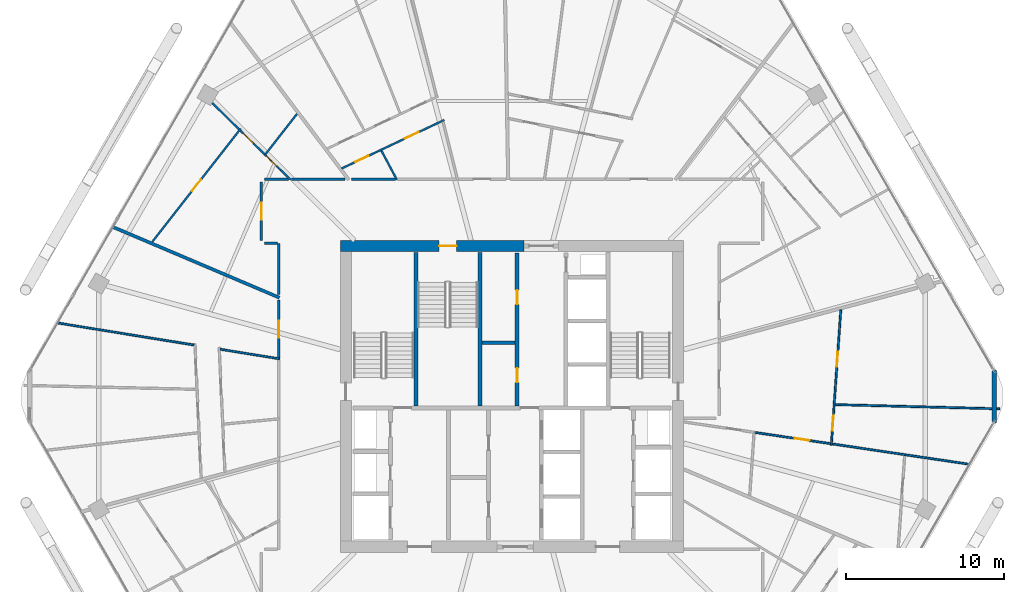
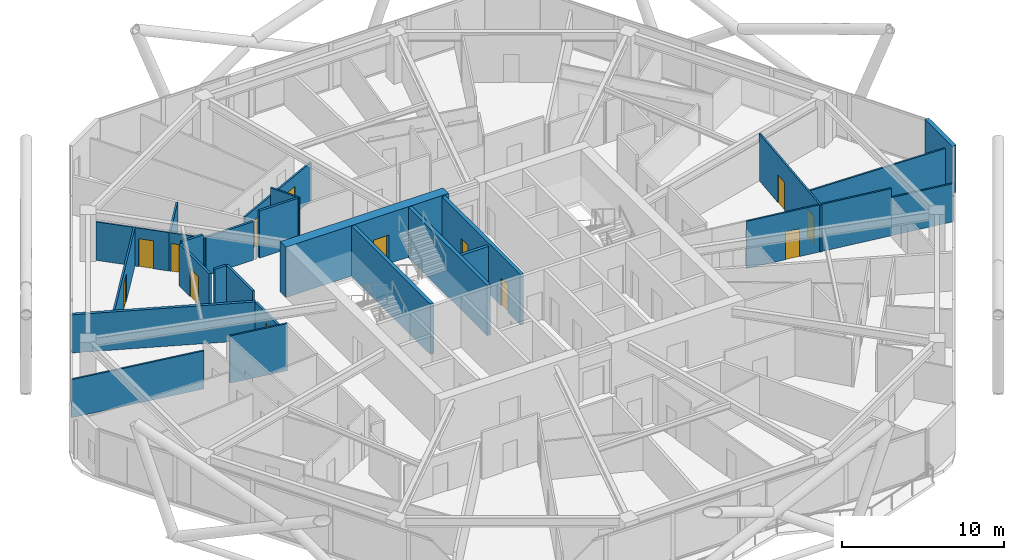
# One storey, part 24 of 29: 29 walls, 13 doors, 13 openings.
"""IFC4 building model written with IfcOpenShell, lengths in metres."""

from ifc_helpers import new_model, si_unit, direction, frame, frame_2d, origin, place, context, subcontext, project, spatial, rectangle, extrude, material, layer, layer_set, type_object, element, fill, save


model = new_model("IFC4")

# Units and contexts
model_context = context("Model", 3, precision=1e-05, world=origin(), true_north=direction((0.0, 1.0)))
body_context = subcontext(model_context, "Body", "Model", "MODEL_VIEW")
ifc_project = project(units=[si_unit("LENGTHUNIT", "METRE"), si_unit("AREAUNIT", "SQUARE_METRE"), si_unit("VOLUMEUNIT", "CUBIC_METRE"), si_unit("PLANEANGLEUNIT", "RADIAN"), si_unit("MASSUNIT", "GRAM", prefix="KILO")], contexts=[model_context])

# Site, building, storey
site_placement = place(None, origin())
site = spatial("IfcSite", under=ifc_project, at=site_placement, CompositionType="ELEMENT")
building_placement = place(site_placement, origin())
building = spatial("IfcBuilding", under=site, at=building_placement, Name="Zuhravey Tower", CompositionType="ELEMENT")
storey_placement = place(building_placement, frame((0.0, 0.0, 184.60009765625)))
storey = spatial("IfcBuildingStorey", under=building, at=storey_placement, Name="L46", CompositionType="ELEMENT", Elevation=184.60009765625)

# Wall, opening, door
ifc_material_1 = material(Name="Concrete C60/75", Category="concrete")
ifc_layer_1 = layer(ifc_material_1, 0.699951171875)
ifc_layer_set_1 = layer_set([ifc_layer_1], Name="Concrete C60/75")
wall_type_1 = type_object("IfcWallType", Name="Core Shear Wall 700", PredefinedType="SHEAR", material=ifc_layer_set_1)
wall_1_placement = place(storey_placement, frame((36.75, 41.5, 0.0), z_axis=(0.0, 0.0, 1.0), x_axis=(-1.0, 0.0, 0.0)))
wall_1 = element("IfcWall", 1, at=wall_1_placement, inside=storey, type_object=wall_type_1, Name="L46 North-West Core Shear Wall CW70", PredefinedType="SHEAR", context=body_context, shape_type="SweptSolid", body=[
    extrude(rectangle(XDim=11.60009765625, YDim=0.699951171875, at=frame_2d((5.800048828125, 0.0))), origin(), (0.0, 0.0, 1.0), 3.7998046875),
])
opening_1_placement = place(wall_1_placement, frame((4.25, 0.0, 0.0)))
opening_1 = element("IfcOpeningElement", 2, at=opening_1_placement, cuts=wall_1, Name="Opening STD1", PredefinedType="OPENING", context=body_context, shape_type="SweptSolid", body=[
    extrude(rectangle(XDim=1.10009765625, YDim=2.14990234375, at=frame_2d((0.550048828125, 1.074951171875))), frame((0.0, 0.362060546875, 0.0), z_axis=(0.0, -1.0, 0.0), x_axis=(1.0, 0.0, 0.0)), (0.0, 0.0, 1.0), 0.723876953125),
])
ifc_material_2 = material(Name="Galvanised fire-rated steel leaf", Category="steel")
door_type_1 = type_object("IfcDoorType", Name="Protected Stair Fire Door 1100x2150", OperationType="NOTDEFINED", PredefinedType="USERDEFINED", material=ifc_material_2)
door_1_placement = place(opening_1_placement, origin())
door_1 = element("IfcDoor", 3, at=door_1_placement, inside=storey, type_object=door_type_1, Name="L46 Stair ST3 Door", ObjectType="EXITDOOR", OperationType="SINGLE_SWING_LEFT", OverallHeight=2.14990234375, OverallWidth=1.10009765625, PredefinedType="USERDEFINED", context=body_context, shape_type="SweptSolid", body=[
    extrude(rectangle(XDim=1.10009765625, YDim=2.14990234375, at=frame_2d((0.550048828125, 1.074951171875))), frame((0.0, 0.02490234375, 0.0), z_axis=(0.0, -1.0, 0.0), x_axis=(1.0, 0.0, 0.0)), (0.0, 0.0, 1.0), 0.050048828125),
])
fill(opening_1, door_1)

ifc_material_3 = material(Name="Gypsum fire-rated stud partition")
ifc_layer_2 = layer(ifc_material_3, 0.159912109375)
ifc_layer_set_2 = layer_set([ifc_layer_2], Name="Gypsum fire-rated stud partition")
wall_type_2 = type_object("IfcWallType", Name="Corridor Fire Partition 160", PredefinedType="PARTITIONING", material=ifc_layer_set_2)
wall_2_placement = place(storey_placement, frame((20.169921875, 45.550048828125, 0.0), z_axis=(0.0, 0.0, 1.0), x_axis=(0.0, -1.0, 0.0)))
wall_2 = element("IfcWall", 4, at=wall_2_placement, inside=storey, type_object=wall_type_2, Name="L46 IW16 Partition 034", PredefinedType="PARTITIONING", context=body_context, shape_type="SweptSolid", body=[
    extrude(rectangle(XDim=3.699951171875, YDim=0.159912109375, at=frame_2d((1.85009765625, 0.0))), origin(), (0.0, 0.0, 1.0), 3.14990234375),
])
opening_2_placement = place(wall_2_placement, frame((1.324951171875, 0.0, 0.0)))
opening_2 = element("IfcOpeningElement", 5, at=opening_2_placement, cuts=wall_2, Name="Opening APD1", PredefinedType="OPENING", context=body_context, shape_type="SweptSolid", body=[
    extrude(rectangle(XDim=1.050048828125, YDim=2.14990234375, at=frame_2d((0.52490234375, 1.074951171875))), frame((0.0, 0.092041015625, 0.0), z_axis=(0.0, -1.0, 0.0), x_axis=(1.0, 0.0, 0.0)), (0.0, 0.0, 1.0), 0.183837890625),
])
ifc_material_4 = material(Name="Solid-core oak fire-rated leaf")
door_type_2 = type_object("IfcDoorType", Name="Apartment Entrance Fire Door 1050x2150", OperationType="NOTDEFINED", PredefinedType="DOOR", material=ifc_material_4)
door_2_placement = place(opening_2_placement, frame((1.050048828125, 0.0, 0.0), z_axis=(0.0, 0.0, 1.0), x_axis=(-1.0, 0.0, 0.0)))
door_2 = element("IfcDoor", 6, at=door_2_placement, inside=storey, type_object=door_type_2, Name="L46 Door 034.1", OperationType="SINGLE_SWING_RIGHT", OverallHeight=2.14990234375, OverallWidth=1.050048828125, PredefinedType="DOOR", context=body_context, shape_type="SweptSolid", body=[
    extrude(rectangle(XDim=1.050048828125, YDim=2.14990234375, at=frame_2d((0.52490234375, 1.074951171875))), frame((0.0, 0.02490234375, 0.0), z_axis=(0.0, -1.0, 0.0), x_axis=(1.0, 0.0, 0.0)), (0.0, 0.0, 1.0), 0.050048828125),
])
fill(opening_2, door_2)

wall_3_placement = place(storey_placement, frame((21.27001953125, 38.07958984375, 0.0), z_axis=(0.0, 0.0, 1.0), x_axis=(0.0, -1.0, 0.0)))
wall_3 = element("IfcWall", 7, at=wall_3_placement, inside=storey, type_object=wall_type_2, Name="L46 IW16 Partition 037", PredefinedType="PARTITIONING", context=body_context, shape_type="SweptSolid", body=[
    extrude(rectangle(XDim=3.678955078125, YDim=0.159912109375, at=frame_2d((1.83935546875, 0.0))), origin(), (0.0, 0.0, 1.0), 2.89990234375),
])
opening_3_placement = place(wall_3_placement, frame((1.314453125, 0.0, 0.0)))
opening_3 = element("IfcOpeningElement", 8, at=opening_3_placement, cuts=wall_3, Name="Opening APD1", PredefinedType="OPENING", context=body_context, shape_type="SweptSolid", body=[
    extrude(rectangle(XDim=1.050048828125, YDim=2.14990234375, at=frame_2d((0.52490234375, 1.074951171875))), frame((0.0, 0.092041015625, 0.0), z_axis=(0.0, -1.0, 0.0), x_axis=(1.0, 0.0, 0.0)), (0.0, 0.0, 1.0), 0.183837890625),
])
door_3_placement = place(opening_3_placement, frame((1.050048828125, 0.0, 0.0), z_axis=(0.0, 0.0, 1.0), x_axis=(-1.0, 0.0, 0.0)))
door_3 = element("IfcDoor", 9, at=door_3_placement, inside=storey, type_object=door_type_2, Name="L46 Door 037.1", OperationType="SINGLE_SWING_RIGHT", OverallHeight=2.14990234375, OverallWidth=1.050048828125, PredefinedType="DOOR", context=body_context, shape_type="SweptSolid", body=[
    extrude(rectangle(XDim=1.050048828125, YDim=2.14990234375, at=frame_2d((0.52490234375, 1.074951171875))), frame((0.0, 0.02490234375, 0.0), z_axis=(0.0, -1.0, 0.0), x_axis=(1.0, 0.0, 0.0)), (0.0, 0.0, 1.0), 0.050048828125),
])
fill(opening_3, door_3)

# Walls
wall_4_placement = place(storey_placement, frame((28.626220703125, 45.72998046875, 0.0), z_axis=(0.0, 0.0, 1.0), x_axis=(-1.0, 0.0, 0.0)))
element("IfcWall", 10, at=wall_4_placement, inside=storey, type_object=wall_type_2, Name="L46 IW16 Partition 130", PredefinedType="PARTITIONING", context=body_context, shape_type="SweptSolid", body=[
    extrude(rectangle(XDim=2.760986328125, YDim=0.159912109375, at=frame_2d((1.38037109375, 0.0))), origin(), (0.0, 0.0, 1.0), 3.5498046875),
])
wall_5_placement = place(storey_placement, frame((21.27001953125, 41.669921875, 0.0), z_axis=(0.0, 0.0, 1.0), x_axis=(0.0, -1.0, 0.0)))
element("IfcWall", 11, at=wall_5_placement, inside=storey, type_object=wall_type_2, Name="L46 IW16 Partition 131", PredefinedType="PARTITIONING", context=body_context, shape_type="SweptSolid", body=[
    extrude(rectangle(XDim=3.243408203125, YDim=0.159912109375, at=frame_2d((1.62158203125, 0.0))), origin(), (0.0, 0.0, 1.0), 3.5498046875),
])
wall_6_placement = place(storey_placement, frame((21.872314453125, 45.72998046875, 0.0), z_axis=(0.0, 0.0, 1.0), x_axis=(-1.0, 0.0, 0.0)))
element("IfcWall", 12, at=wall_6_placement, inside=storey, type_object=wall_type_2, Name="L46 IW16 Partition 132", PredefinedType="PARTITIONING", context=body_context, shape_type="SweptSolid", body=[
    extrude(rectangle(XDim=1.522216796875, YDim=0.159912109375, at=frame_2d((0.76123046875, 0.0))), origin(), (0.0, 0.0, 1.0), 3.14990234375),
])
wall_7_placement = place(storey_placement, frame((20.35009765625, 41.669921875, 0.0), z_axis=(0.0, 0.0, 1.0), x_axis=(1.0, 0.0, 0.0)))
element("IfcWall", 13, at=wall_7_placement, inside=storey, type_object=wall_type_2, Name="L46 IW16 Partition 133", PredefinedType="PARTITIONING", context=body_context, shape_type="SweptSolid", body=[
    extrude(rectangle(XDim=0.831787109375, YDim=0.159912109375, at=frame_2d((0.416015625, 0.0))), origin(), (0.0, 0.0, 1.0), 3.5498046875),
])
wall_8_placement = place(storey_placement, frame((25.439453125, 45.72998046875, 0.0), z_axis=(0.0, 0.0, 1.0), x_axis=(-1.0, 0.0, 0.0)))
element("IfcWall", 14, at=wall_8_placement, inside=storey, type_object=wall_type_2, Name="L46 IW16 Partition 134", PredefinedType="PARTITIONING", context=body_context, shape_type="SweptSolid", body=[
    extrude(rectangle(XDim=3.3798828125, YDim=0.159912109375, at=frame_2d((1.68994140625, 0.0))), origin(), (0.0, 0.0, 1.0), 2.89990234375),
])
ifc_material_5 = material(Name="Precast concrete C40/50", Category="concrete")
ifc_layer_3 = layer(ifc_material_5, 0.280029296875)
ifc_layer_set_3 = layer_set([ifc_layer_3], Name="Precast concrete C40/50")
wall_type_3 = type_object("IfcWallType", Name="Crown Architectural Wall 280", PredefinedType="SOLIDWALL", material=ifc_layer_set_3)
wall_9_placement = place(storey_placement, frame((66.4716796875, 33.6826171875, 0.0), z_axis=(0.0, 0.0, 1.0), x_axis=(0.0, -1.0, 0.0)))
element("IfcWall", 15, at=wall_9_placement, inside=storey, type_object=wall_type_3, Name="L46 Rounded Corner Closure Wall EW28-12", PredefinedType="SOLIDWALL", context=body_context, shape_type="SweptSolid", body=[
    extrude(rectangle(XDim=3.365234375, YDim=0.280029296875, at=frame_2d((1.6826171875, 0.0))), origin(), (0.0, 0.0, 1.0), 3.5498046875),
])
ifc_material_6 = material(Name="Concrete C50/60", Category="concrete")
ifc_layer_4 = layer(ifc_material_6, 0.25)
ifc_layer_set_4 = layer_set([ifc_layer_4], Name="Concrete C50/60")
wall_type_4 = type_object("IfcWallType", Name="Firefighting Shaft & Stair Wall 250", PredefinedType="SOLIDWALL", material=ifc_layer_set_4)
for number, where, z_axis, x_axis, name in (
    (16, (29.925048828125, 31.39990234375, 0.0), (0.0, 0.0, 1.0), (0.0, 1.0, 0.0), "L46 FW25 Shaft Wall 004"),
    (17, (33.97509765625, 31.39990234375, 0.0), (0.0, 0.0, 1.0), (0.0, 1.0, 0.0), "L46 FW25 Shaft Wall 005"),
):
    element("IfcWall", number, at=place(storey_placement, frame(where, z_axis=z_axis, x_axis=x_axis)), inside=storey, type_object=wall_type_4, Name=name, PredefinedType="SOLIDWALL", context=body_context, shape_type="SweptSolid", body=[
        extrude(rectangle(XDim=9.7001953125, YDim=0.25, at=frame_2d((4.85009765625, 0.0))), origin(), (0.0, 0.0, 1.0), 3.7998046875),
    ])

# Wall, openings, doors
wall_10_placement = place(storey_placement, frame((36.324951171875, 31.39990234375, 0.0), z_axis=(0.0, 0.0, 1.0), x_axis=(0.0, 1.0, 0.0)))
wall_10 = element("IfcWall", 18, at=wall_10_placement, inside=storey, type_object=wall_type_4, Name="L46 FW25 Shaft Wall 007", PredefinedType="SOLIDWALL", context=body_context, shape_type="SweptSolid", body=[
    extrude(rectangle(XDim=9.650146484375, YDim=0.25, at=frame_2d((4.8251953125, 0.0))), origin(), (0.0, 0.0, 1.0), 3.7998046875),
])
opening_4_placement = place(wall_10_placement, frame((1.489990234375, 0.0, 0.0)))
opening_4 = element("IfcOpeningElement", 19, at=opening_4_placement, cuts=wall_10, Name="Opening RSD1", PredefinedType="OPENING", context=body_context, shape_type="SweptSolid", body=[
    extrude(rectangle(XDim=0.89990234375, YDim=2.10009765625, at=frame_2d((0.449951171875, 1.050048828125))), frame((0.0, 0.136962890625, 0.0), z_axis=(0.0, -1.0, 0.0), x_axis=(1.0, 0.0, 0.0)), (0.0, 0.0, 1.0), 0.27392578125),
])
opening_5_placement = place(wall_10_placement, frame((6.409912109375, 0.0, 0.0)))
opening_5 = element("IfcOpeningElement", 20, at=opening_5_placement, cuts=wall_10, Name="Opening RSD1", PredefinedType="OPENING", context=body_context, shape_type="SweptSolid", body=[
    extrude(rectangle(XDim=0.89990234375, YDim=2.10009765625, at=frame_2d((0.449951171875, 1.050048828125))), frame((0.0, 0.136962890625, 0.0), z_axis=(0.0, -1.0, 0.0), x_axis=(1.0, 0.0, 0.0)), (0.0, 0.0, 1.0), 0.27392578125),
])
ifc_material_7 = material(Name="Galvanised fire-rated steel access leaf", Category="steel")
door_type_3 = type_object("IfcDoorType", Name="Riser & Shaft Access Fire Door 900x2100", OperationType="NOTDEFINED", PredefinedType="DOOR", material=ifc_material_7)
door_4_placement = place(opening_4_placement, origin())
door_4 = element("IfcDoor", 21, at=door_4_placement, inside=storey, type_object=door_type_3, Name="L46 Core Cleaner Store Door", OperationType="SINGLE_SWING_LEFT", OverallHeight=2.10009765625, OverallWidth=0.89990234375, PredefinedType="DOOR", context=body_context, shape_type="SweptSolid", body=[
    extrude(rectangle(XDim=0.89990234375, YDim=2.10009765625, at=frame_2d((0.449951171875, 1.050048828125))), frame((0.0, 0.02490234375, 0.0), z_axis=(0.0, -1.0, 0.0), x_axis=(1.0, 0.0, 0.0)), (0.0, 0.0, 1.0), 0.050048828125),
])
fill(opening_4, door_4)
door_5_placement = place(opening_5_placement, origin())
door_5 = element("IfcDoor", 22, at=door_5_placement, inside=storey, type_object=door_type_3, Name="L46 Core Pantry and Tea Room Door", OperationType="SINGLE_SWING_RIGHT", OverallHeight=2.10009765625, OverallWidth=0.89990234375, PredefinedType="DOOR", context=body_context, shape_type="SweptSolid", body=[
    extrude(rectangle(XDim=0.89990234375, YDim=2.10009765625, at=frame_2d((0.449951171875, 1.050048828125))), frame((0.0, 0.02490234375, 0.0), z_axis=(0.0, -1.0, 0.0), x_axis=(1.0, 0.0, 0.0)), (0.0, 0.0, 1.0), 0.050048828125),
])
fill(opening_5, door_5)

# Walls
ifc_material_8 = material(Name="Gypsum double-stud party assembly")
ifc_layer_5 = layer(ifc_material_8, 0.199951171875)
ifc_layer_set_5 = layer_set([ifc_layer_5], Name="Gypsum double-stud party assembly")
wall_type_5 = type_object("IfcWallType", Name="Inter-Tenancy Party Wall 200", PredefinedType="PARTITIONING", material=ifc_layer_set_5)
wall_11_placement = place(storey_placement, frame((21.31005859375, 38.235595703125, 0.0), z_axis=(0.0, 0.0, 1.0), x_axis=(-0.920512876962, 0.390712225746, 0.0)))
element("IfcWall", 23, at=wall_11_placement, inside=storey, type_object=wall_type_5, Name="L46 IW20 Partition 091", PredefinedType="PARTITIONING", context=body_context, shape_type="SweptSolid", body=[
    extrude(rectangle(XDim=11.4287109375, YDim=0.199951171875, at=frame_2d((5.71435546875, 0.0))), origin(), (0.0, 0.0, 1.0), 2.869873046875),
])
ifc_material_9 = material(Name="Gypsum acoustic stud assembly")
ifc_layer_6 = layer(ifc_material_9, 0.219970703125)
ifc_layer_set_6 = layer_set([ifc_layer_6], Name="Gypsum acoustic stud assembly")
wall_type_6 = type_object("IfcWallType", Name="School Acoustic Compartment Wall 220", PredefinedType="PARTITIONING", material=ifc_layer_set_6)
wall_12_placement = place(storey_placement, frame((34.10791015625, 35.39990234375, 0.0), z_axis=(0.0, 0.0, 1.0), x_axis=(1.0, 0.0, 0.0)))
element("IfcWall", 24, at=wall_12_placement, inside=storey, type_object=wall_type_6, Name="L46 IW22 Partition 061", PredefinedType="PARTITIONING", context=body_context, shape_type="SweptSolid", body=[
    extrude(rectangle(XDim=2.083984375, YDim=0.219970703125, at=frame_2d((1.0419921875, 0.0))), origin(), (0.0, 0.0, 1.0), 3.5498046875),
])

# Wall, openings, doors
ifc_material_10 = material(Name="Gypsum metal-stud partition")
ifc_layer_7 = layer(ifc_material_10, 0.1201171875)
ifc_layer_set_7 = layer_set([ifc_layer_7], Name="Gypsum metal-stud partition")
wall_type_7 = type_object("IfcWallType", Name="Unit Internal Partition 120", PredefinedType="PARTITIONING", material=ifc_layer_set_7)
wall_13_placement = place(storey_placement, frame((31.71728515625, 49.461181640625, 0.0), z_axis=(0.0, 0.0, 1.0), x_axis=(-0.904083014939, -0.427356879081, 0.0)))
wall_13 = element("IfcWall", 25, at=wall_13_placement, inside=storey, type_object=wall_type_7, Name="L46 IW12 Partition 027", PredefinedType="PARTITIONING", context=body_context, shape_type="SweptSolid", body=[
    extrude(rectangle(XDim=7.180419921875, YDim=0.1201171875, at=frame_2d((3.59033203125, 0.0))), origin(), (0.0, 0.0, 1.0), 2.89990234375),
])
opening_6_placement = place(wall_13_placement, frame((1.78466796875, 0.0, 0.0)))
opening_6 = element("IfcOpeningElement", 26, at=opening_6_placement, cuts=wall_13, Name="Opening IND1", PredefinedType="OPENING", context=body_context, shape_type="SweptSolid", body=[
    extrude(rectangle(XDim=0.949951171875, YDim=2.10009765625, at=frame_2d((0.47509765625, 1.050048828125))), frame((0.0, 0.072021484375, 0.0), z_axis=(0.0, -1.0, 0.0), x_axis=(1.0, 0.0, 0.0)), (0.0, 0.0, 1.0), 0.14404296875),
])
opening_7_placement = place(wall_13_placement, frame((5.2978515625, 0.0, 0.0)))
opening_7 = element("IfcOpeningElement", 27, at=opening_7_placement, cuts=wall_13, Name="Opening WCD1", PredefinedType="OPENING", context=body_context, shape_type="SweptSolid", body=[
    extrude(rectangle(XDim=0.89990234375, YDim=2.10009765625, at=frame_2d((0.449951171875, 1.050048828125))), frame((0.0, 0.072021484375, 0.0), z_axis=(0.0, -1.0, 0.0), x_axis=(1.0, 0.0, 0.0)), (0.0, 0.0, 1.0), 0.14404296875),
])
ifc_material_11 = material(Name="Moisture-resistant timber leaf", Category="wood")
door_type_4 = type_object("IfcDoorType", Name="Bathroom & WC Internal Door 900x2100", OperationType="NOTDEFINED", PredefinedType="DOOR", material=ifc_material_11)
door_6_placement = place(opening_7_placement, origin())
door_6 = element("IfcDoor", 28, at=door_6_placement, inside=storey, type_object=door_type_4, Name="Apartment L46-03 Bathroom Door", OperationType="SINGLE_SWING_RIGHT", OverallHeight=2.10009765625, OverallWidth=0.89990234375, PredefinedType="DOOR", context=body_context, shape_type="SweptSolid", body=[
    extrude(rectangle(XDim=0.89990234375, YDim=2.10009765625, at=frame_2d((0.449951171875, 1.050048828125))), frame((0.0, 0.02490234375, 0.0), z_axis=(0.0, -1.0, 0.0), x_axis=(1.0, 0.0, 0.0)), (0.0, 0.0, 1.0), 0.050048828125),
])
fill(opening_7, door_6)
ifc_material_12 = material(Name="Painted engineered timber leaf", Category="wood")
door_type_5 = type_object("IfcDoorType", Name="Internal Room & Bedroom Door 950x2100", OperationType="NOTDEFINED", PredefinedType="DOOR", material=ifc_material_12)
door_7_placement = place(opening_6_placement, origin())
door_7 = element("IfcDoor", 29, at=door_7_placement, inside=storey, type_object=door_type_5, Name="Apartment L46-03 Kitchen Door", OperationType="SINGLE_SWING_LEFT", OverallHeight=2.10009765625, OverallWidth=0.949951171875, PredefinedType="DOOR", context=body_context, shape_type="SweptSolid", body=[
    extrude(rectangle(XDim=0.949951171875, YDim=2.10009765625, at=frame_2d((0.47509765625, 1.050048828125))), frame((0.0, 0.02490234375, 0.0), z_axis=(0.0, -1.0, 0.0), x_axis=(1.0, 0.0, 0.0)), (0.0, 0.0, 1.0), 0.050048828125),
])
fill(opening_6, door_7)

# Wall, opening, door
wall_14_placement = place(storey_placement, frame((18.859619140625, 48.913330078125, 0.0), z_axis=(0.0, 0.0, 1.0), x_axis=(-0.615647177954, -0.788021923729, 0.0)))
wall_14 = element("IfcWall", 30, at=wall_14_placement, inside=storey, type_object=wall_type_7, Name="L46 IW12 Partition 030", PredefinedType="PARTITIONING", context=body_context, shape_type="SweptSolid", body=[
    extrude(rectangle(XDim=9.064453125, YDim=0.1201171875, at=frame_2d((4.5322265625, 0.0))), origin(), (0.0, 0.0, 1.0), 2.89990234375),
])
opening_8_placement = place(wall_14_placement, frame((4.057373046875, 0.0, 0.0)))
opening_8 = element("IfcOpeningElement", 31, at=opening_8_placement, cuts=wall_14, Name="Opening IND1", PredefinedType="OPENING", context=body_context, shape_type="SweptSolid", body=[
    extrude(rectangle(XDim=0.949951171875, YDim=2.10009765625, at=frame_2d((0.47509765625, 1.050048828125))), frame((0.0, 0.072021484375, 0.0), z_axis=(0.0, -1.0, 0.0), x_axis=(1.0, 0.0, 0.0)), (0.0, 0.0, 1.0), 0.14404296875),
])
door_8_placement = place(opening_8_placement, frame((0.949951171875, 0.0, 0.0), z_axis=(0.0, 0.0, 1.0), x_axis=(-1.0, 0.0, 0.0)))
door_8 = element("IfcDoor", 32, at=door_8_placement, inside=storey, type_object=door_type_5, Name="Apartment L46-04 Family Study Door", OperationType="SINGLE_SWING_LEFT", OverallHeight=2.10009765625, OverallWidth=0.949951171875, PredefinedType="DOOR", context=body_context, shape_type="SweptSolid", body=[
    extrude(rectangle(XDim=0.949951171875, YDim=2.10009765625, at=frame_2d((0.47509765625, 1.050048828125))), frame((0.0, 0.02490234375, 0.0), z_axis=(0.0, -1.0, 0.0), x_axis=(1.0, 0.0, 0.0)), (0.0, 0.0, 1.0), 0.050048828125),
])
fill(opening_8, door_8)

wall_15_placement = place(storey_placement, frame((21.38720703125, 46.300048828125, 0.0), z_axis=(0.0, 0.0, 1.0), x_axis=(-0.714709414699, 0.699421512781, 0.0)))
wall_15 = element("IfcWall", 33, at=wall_15_placement, inside=storey, type_object=wall_type_7, Name="L46 IW12 Partition 031", PredefinedType="PARTITIONING", context=body_context, shape_type="SweptSolid", body=[
    extrude(rectangle(XDim=1.4052734375, YDim=0.1201171875, at=frame_2d((0.70263671875, 0.0))), origin(), (0.0, 0.0, 1.0), 2.89990234375),
])
opening_9_placement = place(wall_15_placement, frame((0.365234375, 0.0, 0.0)))
opening_9 = element("IfcOpeningElement", 34, at=opening_9_placement, cuts=wall_15, Name="Opening WCD1", PredefinedType="OPENING", context=body_context, shape_type="SweptSolid", body=[
    extrude(rectangle(XDim=0.89990234375, YDim=2.10009765625, at=frame_2d((0.449951171875, 1.050048828125))), frame((0.0, 0.072021484375, 0.0), z_axis=(0.0, -1.0, 0.0), x_axis=(1.0, 0.0, 0.0)), (0.0, 0.0, 1.0), 0.14404296875),
])
door_9_placement = place(opening_9_placement, frame((0.89990234375, 0.0, 0.0), z_axis=(0.0, 0.0, 1.0), x_axis=(-1.0, 0.0, 0.0)))
door_9 = element("IfcDoor", 35, at=door_9_placement, inside=storey, type_object=door_type_4, Name="Apartment L46-04 Bathroom Door", OperationType="SINGLE_SWING_RIGHT", OverallHeight=2.10009765625, OverallWidth=0.89990234375, PredefinedType="DOOR", context=body_context, shape_type="SweptSolid", body=[
    extrude(rectangle(XDim=0.89990234375, YDim=2.10009765625, at=frame_2d((0.449951171875, 1.050048828125))), frame((0.0, 0.02490234375, 0.0), z_axis=(0.0, -1.0, 0.0), x_axis=(1.0, 0.0, 0.0)), (0.0, 0.0, 1.0), 0.050048828125),
])
fill(opening_9, door_9)

wall_16_placement = place(storey_placement, frame((20.3828125, 47.282958984375, 0.0), z_axis=(0.0, 0.0, 1.0), x_axis=(-0.714732795813, 0.699397619806, 0.0)))
wall_16 = element("IfcWall", 36, at=wall_16_placement, inside=storey, type_object=wall_type_7, Name="L46 IW12 Partition 032", PredefinedType="PARTITIONING", context=body_context, shape_type="SweptSolid", body=[
    extrude(rectangle(XDim=2.149169921875, YDim=0.1201171875, at=frame_2d((1.07470703125, 0.0))), origin(), (0.0, 0.0, 1.0), 2.89990234375),
])
opening_10_placement = place(wall_16_placement, frame((0.97509765625, 0.0, 0.0)))
opening_10 = element("IfcOpeningElement", 37, at=opening_10_placement, cuts=wall_16, Name="Opening IND1", PredefinedType="OPENING", context=body_context, shape_type="SweptSolid", body=[
    extrude(rectangle(XDim=0.949951171875, YDim=2.10009765625, at=frame_2d((0.47509765625, 1.050048828125))), frame((0.0, 0.072021484375, 0.0), z_axis=(0.0, -1.0, 0.0), x_axis=(1.0, 0.0, 0.0)), (0.0, 0.0, 1.0), 0.14404296875),
])
door_10_placement = place(opening_10_placement, frame((0.949951171875, 0.0, 0.0), z_axis=(0.0, 0.0, 1.0), x_axis=(-1.0, 0.0, 0.0)))
door_10 = element("IfcDoor", 38, at=door_10_placement, inside=storey, type_object=door_type_5, Name="Apartment L46-04 Kitchen Door", OperationType="SINGLE_SWING_LEFT", OverallHeight=2.10009765625, OverallWidth=0.949951171875, PredefinedType="DOOR", context=body_context, shape_type="SweptSolid", body=[
    extrude(rectangle(XDim=0.949951171875, YDim=2.10009765625, at=frame_2d((0.47509765625, 1.050048828125))), frame((0.0, 0.02490234375, 0.0), z_axis=(0.0, -1.0, 0.0), x_axis=(1.0, 0.0, 0.0)), (0.0, 0.0, 1.0), 0.050048828125),
])
fill(opening_10, door_10)

# Wall
wall_17_placement = place(storey_placement, frame((18.748779296875, 48.8818359375, 0.0), z_axis=(0.0, 0.0, 1.0), x_axis=(-0.714696370735, 0.69943484161, 0.0)))
element("IfcWall", 39, at=wall_17_placement, inside=storey, type_object=wall_type_7, Name="L46 IW12 Partition 033", PredefinedType="PARTITIONING", context=body_context, shape_type="SweptSolid", body=[
    extrude(rectangle(XDim=2.3515625, YDim=0.1201171875, at=frame_2d((1.17578125, 0.0))), origin(), (0.0, 0.0, 1.0), 2.89990234375),
])

# Wall, openings, doors
wall_18_placement = place(storey_placement, frame((56.1728515625, 28.905517578125, 0.0), z_axis=(0.0, 0.0, 1.0), x_axis=(0.069768607492, 0.997563201711, 0.0)))
wall_18 = element("IfcWall", 40, at=wall_18_placement, inside=storey, type_object=wall_type_7, Name="L46 IW12 Partition 055", PredefinedType="PARTITIONING", context=body_context, shape_type="SweptSolid", body=[
    extrude(rectangle(XDim=8.5908203125, YDim=0.1201171875, at=frame_2d((4.29541015625, 0.0))), origin(), (0.0, 0.0, 1.0), 3.5498046875),
])
opening_11_placement = place(wall_18_placement, frame((0.93603515625, 0.0, 0.0)))
opening_11 = element("IfcOpeningElement", 41, at=opening_11_placement, cuts=wall_18, Name="Opening IND1", PredefinedType="OPENING", context=body_context, shape_type="SweptSolid", body=[
    extrude(rectangle(XDim=0.949951171875, YDim=2.10009765625, at=frame_2d((0.47509765625, 1.050048828125))), frame((0.0, 0.072021484375, 0.0), z_axis=(0.0, -1.0, 0.0), x_axis=(1.0, 0.0, 0.0)), (0.0, 0.0, 1.0), 0.14404296875),
])
opening_12_placement = place(wall_18_placement, frame((4.991455078125, 0.0, 0.0)))
opening_12 = element("IfcOpeningElement", 42, at=opening_12_placement, cuts=wall_18, Name="Opening IND1", PredefinedType="OPENING", context=body_context, shape_type="SweptSolid", body=[
    extrude(rectangle(XDim=0.949951171875, YDim=2.10009765625, at=frame_2d((0.47509765625, 1.050048828125))), frame((0.0, 0.072021484375, 0.0), z_axis=(0.0, -1.0, 0.0), x_axis=(1.0, 0.0, 0.0)), (0.0, 0.0, 1.0), 0.14404296875),
])
door_11_placement = place(opening_11_placement, frame((0.949951171875, 0.0, 0.0), z_axis=(0.0, 0.0, 1.0), x_axis=(-1.0, 0.0, 0.0)))
door_11 = element("IfcDoor", 43, at=door_11_placement, inside=storey, type_object=door_type_5, Name="Apartment L46-10 Family Study Door", OperationType="SINGLE_SWING_RIGHT", OverallHeight=2.10009765625, OverallWidth=0.949951171875, PredefinedType="DOOR", context=body_context, shape_type="SweptSolid", body=[
    extrude(rectangle(XDim=0.949951171875, YDim=2.10009765625, at=frame_2d((0.47509765625, 1.050048828125))), frame((0.0, 0.02490234375, 0.0), z_axis=(0.0, -1.0, 0.0), x_axis=(1.0, 0.0, 0.0)), (0.0, 0.0, 1.0), 0.050048828125),
])
fill(opening_11, door_11)
door_12_placement = place(opening_12_placement, frame((0.949951171875, 0.0, 0.0), z_axis=(0.0, 0.0, 1.0), x_axis=(-1.0, 0.0, 0.0)))
door_12 = element("IfcDoor", 44, at=door_12_placement, inside=storey, type_object=door_type_5, Name="Apartment L46-10 Dining Room Door", OperationType="SINGLE_SWING_LEFT", OverallHeight=2.10009765625, OverallWidth=0.949951171875, PredefinedType="DOOR", context=body_context, shape_type="SweptSolid", body=[
    extrude(rectangle(XDim=0.949951171875, YDim=2.10009765625, at=frame_2d((0.47509765625, 1.050048828125))), frame((0.0, 0.02490234375, 0.0), z_axis=(0.0, -1.0, 0.0), x_axis=(1.0, 0.0, 0.0)), (0.0, 0.0, 1.0), 0.050048828125),
])
fill(opening_12, door_12)

# Wall, opening, door
wall_19_placement = place(storey_placement, frame((51.3212890625, 29.726806640625, 0.0), z_axis=(0.0, 0.0, 1.0), x_axis=(0.98916147346, -0.146831806573, 0.0)))
wall_19 = element("IfcWall", 45, at=wall_19_placement, inside=storey, type_object=wall_type_7, Name="L46 IW12 Partition 057", PredefinedType="PARTITIONING", context=body_context, shape_type="SweptSolid", body=[
    extrude(rectangle(XDim=4.843505859375, YDim=0.1201171875, at=frame_2d((2.421875, 0.0))), origin(), (0.0, 0.0, 1.0), 3.5498046875),
])
opening_13_placement = place(wall_19_placement, frame((2.5693359375, 0.0, 0.0)))
opening_13 = element("IfcOpeningElement", 46, at=opening_13_placement, cuts=wall_19, Name="Opening IND1", PredefinedType="OPENING", context=body_context, shape_type="SweptSolid", body=[
    extrude(rectangle(XDim=0.949951171875, YDim=2.10009765625, at=frame_2d((0.47509765625, 1.050048828125))), frame((0.0, 0.072021484375, 0.0), z_axis=(0.0, -1.0, 0.0), x_axis=(1.0, 0.0, 0.0)), (0.0, 0.0, 1.0), 0.14404296875),
])
door_13_placement = place(opening_13_placement, frame((0.949951171875, 0.0, 0.0), z_axis=(0.0, 0.0, 1.0), x_axis=(-1.0, 0.0, 0.0)))
door_13 = element("IfcDoor", 47, at=door_13_placement, inside=storey, type_object=door_type_5, Name="Apartment L46-10 Home Office Door", OperationType="SINGLE_SWING_LEFT", OverallHeight=2.10009765625, OverallWidth=0.949951171875, PredefinedType="DOOR", context=body_context, shape_type="SweptSolid", body=[
    extrude(rectangle(XDim=0.949951171875, YDim=2.10009765625, at=frame_2d((0.47509765625, 1.050048828125))), frame((0.0, 0.02490234375, 0.0), z_axis=(0.0, -1.0, 0.0), x_axis=(1.0, 0.0, 0.0)), (0.0, 0.0, 1.0), 0.050048828125),
])
fill(opening_13, door_13)

# Walls
wall_20_placement = place(storey_placement, frame((56.247314453125, 28.99560546875, 0.0), z_axis=(0.0, 0.0, 1.0), x_axis=(0.989173212218, -0.146752704339, 0.0)))
element("IfcWall", 48, at=wall_20_placement, inside=storey, type_object=wall_type_7, Name="L46 IW12 Partition 058", PredefinedType="PARTITIONING", context=body_context, shape_type="SweptSolid", body=[
    extrude(rectangle(XDim=4.639892578125, YDim=0.1201171875, at=frame_2d((2.31982421875, 0.0))), origin(), (0.0, 0.0, 1.0), 3.5498046875),
])
wall_21_placement = place(storey_placement, frame((28.72998046875, 45.679931640625, 0.0), z_axis=(0.0, 0.0, 1.0), x_axis=(-0.469275581214, 0.883051770213, 0.0)))
element("IfcWall", 49, at=wall_21_placement, inside=storey, type_object=wall_type_7, Name="L46 IW12 Partition 082", PredefinedType="PARTITIONING", context=body_context, shape_type="SweptSolid", body=[
    extrude(rectangle(XDim=2.076416015625, YDim=0.1201171875, at=frame_2d((1.0380859375, 0.0))), origin(), (0.0, 0.0, 1.0), 3.5498046875),
])
wall_22_placement = place(storey_placement, frame((22.015625, 45.68505859375, 0.0), z_axis=(0.0, 0.0, 1.0), x_axis=(-0.714701250038, 0.699429855807, 0.0)))
element("IfcWall", 50, at=wall_22_placement, inside=storey, type_object=wall_type_7, Name="L46 IW12 Partition 089", PredefinedType="PARTITIONING", context=body_context, shape_type="SweptSolid", body=[
    extrude(rectangle(XDim=0.87939453125, YDim=0.1201171875, at=frame_2d((0.439697265625, 0.0))), origin(), (0.0, 0.0, 1.0), 2.89990234375),
])
wall_23_placement = place(storey_placement, frame((22.416748046875, 49.845947265625, 0.0), z_axis=(0.0, 0.0, 1.0), x_axis=(-0.615599713935, -0.788059002996, 0.0)))
element("IfcWall", 51, at=wall_23_placement, inside=storey, type_object=wall_type_7, Name="L46 IW12 Partition 090", PredefinedType="PARTITIONING", context=body_context, shape_type="SweptSolid", body=[
    extrude(rectangle(XDim=3.20654296875, YDim=0.1201171875, at=frame_2d((1.603271484375, 0.0))), origin(), (0.0, 0.0, 1.0), 2.89990234375),
])
wall_24_placement = place(storey_placement, frame((21.320068359375, 34.372314453125, 0.0), z_axis=(0.0, 0.0, 1.0), x_axis=(-0.987194396441, 0.159521859431, 0.0)))
element("IfcWall", 52, at=wall_24_placement, inside=storey, type_object=wall_type_7, Name="L46 IW12 Partition 095", PredefinedType="PARTITIONING", context=body_context, shape_type="SweptSolid", body=[
    extrude(rectangle(XDim=3.79248046875, YDim=0.1201171875, at=frame_2d((1.896240234375, 0.0))), origin(), (0.0, 0.0, 1.0), 3.5498046875),
])
wall_25_placement = place(storey_placement, frame((15.906005859375, 35.247314453125, 0.0), z_axis=(0.0, 0.0, 1.0), x_axis=(-0.987192193951, 0.159535488848, 0.0)))
element("IfcWall", 53, at=wall_25_placement, inside=storey, type_object=wall_type_7, Name="L46 IW12 Partition 096", PredefinedType="PARTITIONING", context=body_context, shape_type="SweptSolid", body=[
    extrude(rectangle(XDim=8.738037109375, YDim=0.1201171875, at=frame_2d((4.369140625, 0.0))), origin(), (0.0, 0.0, 1.0), 2.869873046875),
])
wall_26_placement = place(storey_placement, frame((56.421142578125, 31.479736328125, 0.0), z_axis=(0.0, 0.0, 1.0), x_axis=(0.999675097587, -0.025489198988, 0.0)))
element("IfcWall", 54, at=wall_26_placement, inside=storey, type_object=wall_type_7, Name="L46 IW12 Partition 118", PredefinedType="PARTITIONING", context=body_context, shape_type="SweptSolid", body=[
    extrude(rectangle(XDim=10.3828125, YDim=0.1201171875, at=frame_2d((5.19140625, 0.0))), origin(), (0.0, 0.0, 1.0), 2.869873046875),
])
wall_27_placement = place(storey_placement, frame((60.8369140625, 28.314697265625, 0.0), z_axis=(0.0, 0.0, 1.0), x_axis=(0.989174828163, -0.146741811793, 0.0)))
element("IfcWall", 55, at=wall_27_placement, inside=storey, type_object=wall_type_7, Name="L46 IW12 Partition 120", PredefinedType="PARTITIONING", context=body_context, shape_type="SweptSolid", body=[
    extrude(rectangle(XDim=4.122802734375, YDim=0.1201171875, at=frame_2d((2.0615234375, 0.0))), origin(), (0.0, 0.0, 1.0), 2.869873046875),
])

save(model, "model.ifc")
